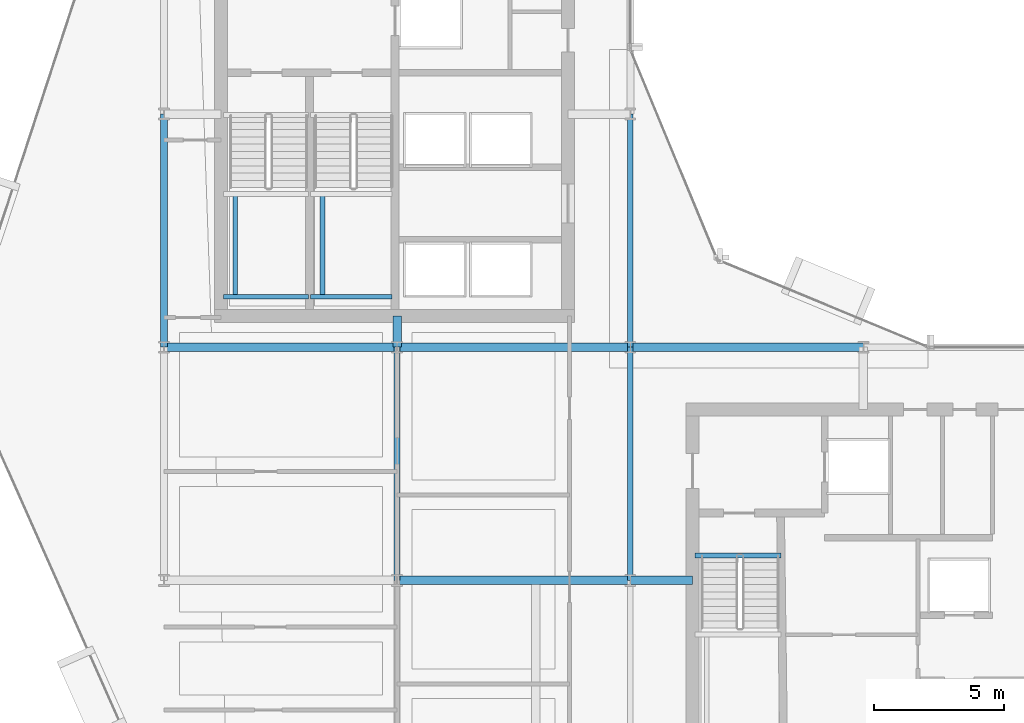
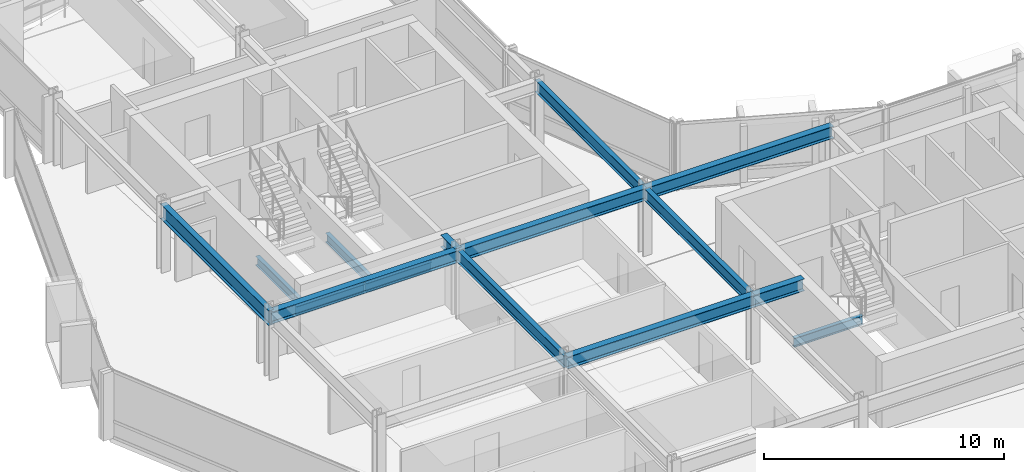
# One storey, part 7 of 29: 15 beams.
"""IFC4 building model written with IfcOpenShell, lengths in metres."""

from ifc_helpers import new_model, si_unit, direction, frame, origin, origin_2d, place, context, subcontext, project, spatial, i_section, extrude, material, material_profile, profile_set, type_object, element, save


model = new_model("IFC4")

# Units and contexts
model_context = context("Model", 3, precision=1e-05, world=origin(), true_north=direction((0.0, 1.0)))
body_context = subcontext(model_context, "Body", "Model", "MODEL_VIEW")
ifc_project = project(units=[si_unit("LENGTHUNIT", "METRE"), si_unit("AREAUNIT", "SQUARE_METRE"), si_unit("VOLUMEUNIT", "CUBIC_METRE"), si_unit("PLANEANGLEUNIT", "RADIAN"), si_unit("MASSUNIT", "GRAM", prefix="KILO")], contexts=[model_context])

# Site, building, storey
site_placement = place(None, origin())
site = spatial("IfcSite", under=ifc_project, at=site_placement, CompositionType="ELEMENT")
building_placement = place(site_placement, origin())
building = spatial("IfcBuilding", under=site, at=building_placement, Name="Solvaryn Broadcast Tower", CompositionType="ELEMENT")
storey_placement = place(building_placement, frame((0.0, 0.0, 128.5)))
storey = spatial("IfcBuildingStorey", under=building, at=storey_placement, Name="L31", CompositionType="ELEMENT", Elevation=128.5)

# Beams
ifc_material_1 = material(Name="Steel ASTM A992 Grade 50", Category="steel")
ifc_material_profile_1 = material_profile(ifc_material_1, i_section(OverallWidth=0.323974609375, OverallDepth=0.611083984375, WebThickness=0.0126953125, FlangeThickness=0.01904296875, FilletRadius=0.014892578125, at=origin_2d()))
ifc_profile_set_1 = profile_set([ifc_material_profile_1], Name="Steel ASTM A992 Grade 50")
beam_type_1 = type_object("IfcBeamType", Name="BM-B1-W24X104", PredefinedType="BEAM", material=ifc_profile_set_1)
for number, where, z_axis, x_axis, name in (
    (1, (18.0, 18.0, 3.114501953125), (1.0, 0.0, 0.0), (0.0, 1.0, 0.0), "L31 Primary Beam X (18-27 @ Y=18)"),
    (2, (9.0, 27.0, 3.114501953125), (1.0, 0.0, 0.0), (0.0, 1.0, 0.0), "L31 Primary Beam X (9-18 @ Y=27)"),
    (3, (18.0, 27.0, 3.114501953125), (1.0, 0.0, 0.0), (0.0, 1.0, 0.0), "L31 Primary Beam X (18-27 @ Y=27)"),
    (4, (27.0, 27.0, 3.114501953125), (1.0, 0.0, 0.0), (0.0, 1.0, 0.0), "L31 Primary Beam X (27-36 @ Y=27)"),
):
    element("IfcBeam", number, at=place(storey_placement, frame(where, z_axis=z_axis, x_axis=x_axis)), inside=storey, type_object=beam_type_1, Name=name, PredefinedType="BEAM", context=body_context, shape_type="SweptSolid", body=[
        extrude(i_section(OverallWidth=0.323974609375, OverallDepth=0.611083984375, WebThickness=0.0126953125, FlangeThickness=0.01904296875, FilletRadius=0.014892578125, at=origin_2d()), origin(), (0.0, 0.0, 1.0), 9.0),
    ])
beam_1_placement = place(storey_placement, frame((18.0, 27.0, 3.114501953125), z_axis=(0.0, 1.0, 0.0), x_axis=(-1.0, 0.0, 0.0)))
element("IfcBeam", 5, at=beam_1_placement, inside=storey, type_object=beam_type_1, Name="L31 Core Tie Beam CTW4", PredefinedType="BEAM", context=body_context, shape_type="SweptSolid", body=[
    extrude(i_section(OverallWidth=0.323974609375, OverallDepth=0.611083984375, WebThickness=0.0126953125, FlangeThickness=0.01904296875, FilletRadius=0.014892578125, at=origin_2d()), origin(), (0.0, 0.0, 1.0), 1.199951171875),
])
beam_2_placement = place(storey_placement, frame((27.0, 18.0, 3.114501953125), z_axis=(1.0, 0.0, 0.0), x_axis=(0.0, 1.0, 0.0)))
element("IfcBeam", 6, at=beam_2_placement, inside=storey, type_object=beam_type_1, Name="L31 Core Tie Beam CTE4", PredefinedType="BEAM", context=body_context, shape_type="SweptSolid", body=[
    extrude(i_section(OverallWidth=0.323974609375, OverallDepth=0.611083984375, WebThickness=0.0126953125, FlangeThickness=0.01904296875, FilletRadius=0.014892578125, at=origin_2d()), origin(), (0.0, 0.0, 1.0), 2.39990234375),
])
ifc_material_2 = material(Name="Steel ASTM A992 Grade 50", Category="steel")
ifc_material_profile_2 = material_profile(ifc_material_2, i_section(OverallWidth=0.22802734375, OverallDepth=0.60791015625, WebThickness=0.01123046875, FlangeThickness=0.017333984375, FilletRadius=0.014892578125, at=origin_2d()))
ifc_profile_set_2 = profile_set([ifc_material_profile_2], Name="Steel ASTM A992 Grade 50")
beam_type_2 = type_object("IfcBeamType", Name="BM-B2-W24X76", PredefinedType="BEAM", material=ifc_profile_set_2)
for number, where, z_axis, x_axis, name in (
    (7, (18.0, 18.0, 3.115966796875), (0.0, 1.0, 0.0), (-1.0, 0.0, 0.0), "L31 Primary Beam Y (18-27 @ X=18)"),
    (8, (27.0, 18.0, 3.115966796875), (0.0, 1.0, 0.0), (-1.0, 0.0, 0.0), "L31 Primary Beam Y (18-27 @ X=27)"),
    (9, (27.0, 27.0, 3.115966796875), (0.0, 1.0, 0.0), (-1.0, 0.0, 0.0), "L31 Primary Beam Y (27-36 @ X=27)"),
):
    element("IfcBeam", number, at=place(storey_placement, frame(where, z_axis=z_axis, x_axis=x_axis)), inside=storey, type_object=beam_type_2, Name=name, PredefinedType="BEAM", context=body_context, shape_type="SweptSolid", body=[
        extrude(i_section(OverallWidth=0.22802734375, OverallDepth=0.60791015625, WebThickness=0.01123046875, FlangeThickness=0.017333984375, FilletRadius=0.014892578125, at=origin_2d()), origin(), (0.0, 0.0, 1.0), 9.0),
    ])
ifc_material_3 = material(Name="Steel ASTM A992 Grade 50", Category="steel")
ifc_material_profile_3 = material_profile(ifc_material_3, i_section(OverallWidth=0.18994140625, OverallDepth=0.45703125, WebThickness=0.009033203125, FlangeThickness=0.014404296875, FilletRadius=0.011962890625, at=origin_2d()))
ifc_profile_set_3 = profile_set([ifc_material_profile_3], Name="Steel ASTM A992 Grade 50")
beam_type_3 = type_object("IfcBeamType", Name="BM-B4-W18X50", PredefinedType="BEAM", material=ifc_profile_set_3)
beam_3_placement = place(storey_placement, frame((11.300048828125, 28.949951171875, 1.42138671875), z_axis=(1.0, 0.0, 0.0), x_axis=(0.0, 1.0, 0.0)))
element("IfcBeam", 10, at=beam_3_placement, inside=storey, type_object=beam_type_3, Name="L31 ST1 Landing Support Beam 1A", PredefinedType="BEAM", context=body_context, shape_type="SweptSolid", body=[
    extrude(i_section(OverallWidth=0.18994140625, OverallDepth=0.45703125, WebThickness=0.009033203125, FlangeThickness=0.014404296875, FilletRadius=0.011962890625, at=origin_2d()), origin(), (0.0, 0.0, 1.0), 3.280029296875),
])
beam_4_placement = place(storey_placement, frame((11.75, 28.949951171875, 1.42138671875), z_axis=(0.0, 1.0, 0.0), x_axis=(-1.0, 0.0, 0.0)))
element("IfcBeam", 11, at=beam_4_placement, inside=storey, type_object=beam_type_3, Name="L31 ST1 Landing Cross Stringer 1C", PredefinedType="BEAM", context=body_context, shape_type="SweptSolid", body=[
    extrude(i_section(OverallWidth=0.18994140625, OverallDepth=0.45703125, WebThickness=0.009033203125, FlangeThickness=0.014404296875, FilletRadius=0.011962890625, at=origin_2d()), origin(), (0.0, 0.0, 1.0), 3.9599609375),
])
beam_5_placement = place(storey_placement, frame((14.659912109375, 28.949951171875, 1.42138671875), z_axis=(1.0, 0.0, 0.0), x_axis=(0.0, 1.0, 0.0)))
element("IfcBeam", 12, at=beam_5_placement, inside=storey, type_object=beam_type_3, Name="L31 ST2 Landing Support Beam 1A", PredefinedType="BEAM", context=body_context, shape_type="SweptSolid", body=[
    extrude(i_section(OverallWidth=0.18994140625, OverallDepth=0.45703125, WebThickness=0.009033203125, FlangeThickness=0.014404296875, FilletRadius=0.011962890625, at=origin_2d()), origin(), (0.0, 0.0, 1.0), 3.14013671875),
])
beam_6_placement = place(storey_placement, frame((15.110107421875, 28.949951171875, 1.42138671875), z_axis=(0.0, 1.0, 0.0), x_axis=(-1.0, 0.0, 0.0)))
element("IfcBeam", 13, at=beam_6_placement, inside=storey, type_object=beam_type_3, Name="L31 ST2 Landing Cross Stringer 1C", PredefinedType="BEAM", context=body_context, shape_type="SweptSolid", body=[
    extrude(i_section(OverallWidth=0.18994140625, OverallDepth=0.45703125, WebThickness=0.009033203125, FlangeThickness=0.014404296875, FilletRadius=0.011962890625, at=origin_2d()), origin(), (0.0, 0.0, 1.0), 3.9599609375),
])
beam_7_placement = place(storey_placement, frame((29.5, 18.9599609375, -0.508544921875), z_axis=(1.0, 0.0, 0.0), x_axis=(0.0, 1.0, 0.0)))
element("IfcBeam", 14, at=beam_7_placement, inside=storey, type_object=beam_type_3, Name="L31 ST3 Stair Well Trimmer Beam", PredefinedType="BEAM", context=body_context, shape_type="SweptSolid", body=[
    extrude(i_section(OverallWidth=0.18994140625, OverallDepth=0.45703125, WebThickness=0.009033203125, FlangeThickness=0.014404296875, FilletRadius=0.011962890625, at=origin_2d()), origin(), (0.0, 0.0, 1.0), 3.320068359375),
])
ifc_material_4 = material(Name="Steel ASTM A992 Grade 50", Category="steel")
ifc_material_profile_4 = material_profile(ifc_material_4, i_section(OverallWidth=0.26708984375, OverallDepth=0.76611328125, WebThickness=0.014892578125, FlangeThickness=0.023681640625, FilletRadius=0.01806640625, at=origin_2d()))
ifc_profile_set_4 = profile_set([ifc_material_profile_4], Name="Steel ASTM A992 Grade 50")
beam_type_4 = type_object("IfcBeamType", Name="BM-SP2-W30X124", PredefinedType="USERDEFINED", material=ifc_profile_set_4)
beam_8_placement = place(storey_placement, frame((9.0, 27.0, 3.037109375), z_axis=(0.0, 1.0, 0.0), x_axis=(-1.0, 0.0, 0.0)))
element("IfcBeam", 15, at=beam_8_placement, inside=storey, type_object=beam_type_4, Name="L31 Spandrel Beam Y (27-36 @ X=9)", ObjectType="SPANDREL", PredefinedType="USERDEFINED", context=body_context, shape_type="SweptSolid", body=[
    extrude(i_section(OverallWidth=0.26708984375, OverallDepth=0.76611328125, WebThickness=0.014892578125, FlangeThickness=0.023681640625, FilletRadius=0.01806640625, at=origin_2d()), origin(), (0.0, 0.0, 1.0), 9.0),
])

save(model, "model.ifc")
